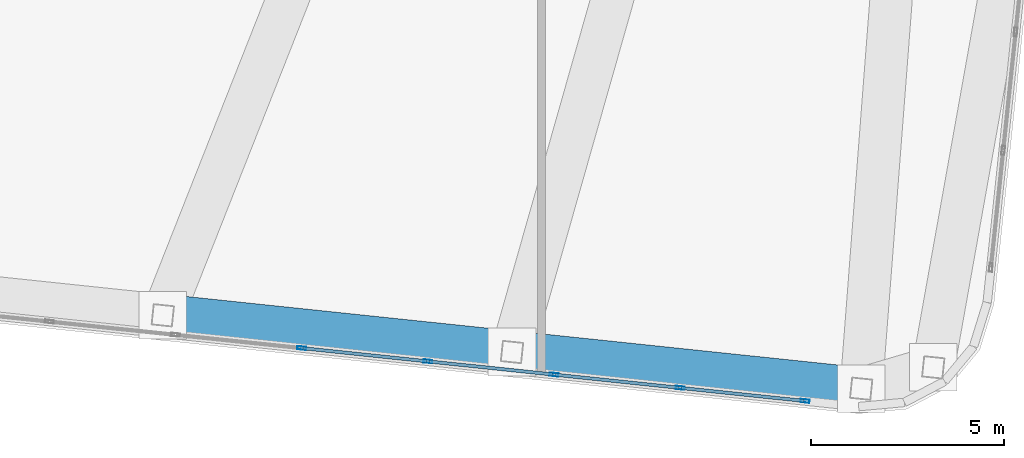
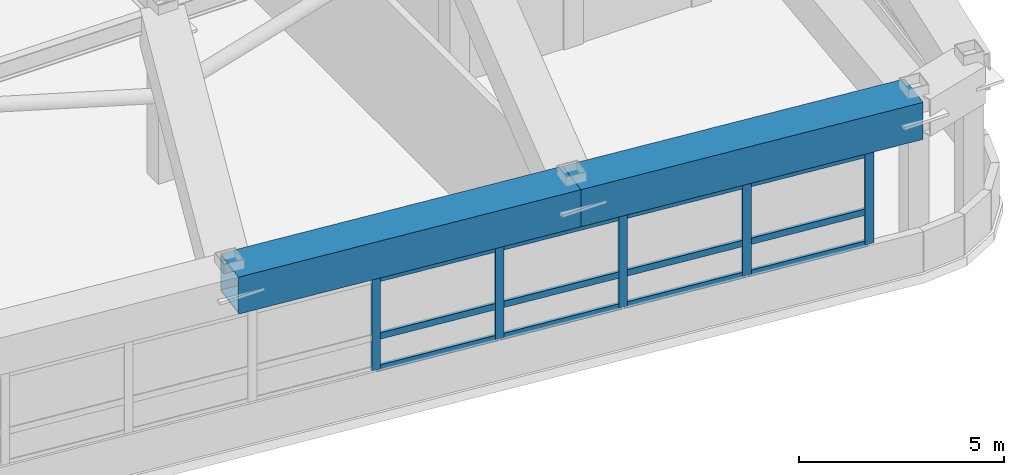
# One storey, part 9 of 23: 17 members, 2 beams, 1 element without a shape of its own.
"""IFC4 building model written with IfcOpenShell, lengths in metres."""

from ifc_helpers import new_model, si_unit, direction, frame, origin, origin_2d, place, context, subcontext, project, spatial, hollow_rectangle, extrude, material, layer, layer_set, material_profile, profile_set, type_object, element, aggregate, save


model = new_model("IFC4")

# Units and contexts
model_context = context("Model", 3, precision=1e-05, world=origin(), true_north=direction((0.0, 1.0)))
body_context = subcontext(model_context, "Body", "Model", "MODEL_VIEW")
ifc_project = project(units=[si_unit("LENGTHUNIT", "METRE"), si_unit("AREAUNIT", "SQUARE_METRE"), si_unit("VOLUMEUNIT", "CUBIC_METRE"), si_unit("PLANEANGLEUNIT", "RADIAN"), si_unit("MASSUNIT", "GRAM", prefix="KILO")], contexts=[model_context])

# Site, building, storey
site_placement = place(None, origin())
site = spatial("IfcSite", under=ifc_project, at=site_placement, CompositionType="ELEMENT")
building_placement = place(site_placement, origin())
building = spatial("IfcBuilding", under=site, at=building_placement, Name="Voryun Gate Residences", CompositionType="ELEMENT")
storey_placement = place(building_placement, frame((0.0, 0.0, 316.0)))
storey = spatial("IfcBuildingStorey", under=building, at=storey_placement, Name="L78", CompositionType="ELEMENT", Elevation=316.0)

# Beams
ifc_material_1 = material(Name="Steel SM420", Category="steel")
ifc_material_profile_1 = material_profile(ifc_material_1, hollow_rectangle(XDim=1.10009765625, YDim=1.10009765625, WallThickness=0.035888671875, at=origin_2d()), Name="BOX-1100x1100x36")
ifc_profile_set_1 = profile_set([ifc_material_profile_1], Name="Steel SM420")
beam_type = type_object("IfcBeamType", Name="BM_ARCH_RIB", PredefinedType="USERDEFINED", material=ifc_profile_set_1)
for number, where, z_axis, x_axis, name in (
    (1, (0.121337890625, -17.731689453125, 4.47509765625), (0.994523919568, -0.104509202498, 0.0), (0.104509202498, 0.994523919568, 0.0), "BM-L78-SPAND-04"),
    (2, (9.19140625, -18.684814453125, 4.47509765625), (0.994521136856, -0.104535679778, 0.0), (0.104535679778, 0.994521136856, 0.0), "BM-L78-SPAND-05"),
):
    element("IfcBeam", number, at=place(storey_placement, frame(where, z_axis=z_axis, x_axis=x_axis)), inside=storey, type_object=beam_type, Name=name, ObjectType="GIRDER", PredefinedType="USERDEFINED", context=body_context, shape_type="SweptSolid", body=[
        extrude(hollow_rectangle(XDim=1.10009765625, YDim=1.10009765625, WallThickness=0.035888671875, at=origin_2d()), origin(), (0.0, 0.0, 1.0), 9.1201171875),
    ])

# Curtain wall, members
ifc_material_2 = material(Name="Anodised aluminium", Category="aluminium")
ifc_layer = layer(ifc_material_2, 0.22998046875, Name="CW_SYS_LANTERN_DARK_GLASS")
ifc_layer_set = layer_set([ifc_layer], Name="Anodised aluminium")
curtain_wall_type = type_object("IfcCurtainWallType", Name="CW_SYS_LANTERN_DARK_GLASS", PredefinedType="NOTDEFINED", material=ifc_layer_set)
curtain_wall_placement = place(storey_placement, origin())
curtain_wall = element("IfcCurtainWall", 3, at=curtain_wall_placement, inside=storey, type_object=curtain_wall_type, Name="Curtain wall CW6-L78-01", PredefinedType="NOTDEFINED")
ifc_material_3 = material(Name="Anodised aluminium", Category="aluminium")
ifc_material_profile_2 = material_profile(ifc_material_3, hollow_rectangle(XDim=0.0849609375, YDim=0.22998046875, WallThickness=0.006103515625, at=origin_2d()), Name="ALU-MULL-230x85x6")
ifc_profile_set_2 = profile_set([ifc_material_profile_2], Name="Anodised aluminium")
member_type_1 = type_object("IfcMemberType", Name="CW_MULL_LANT", PredefinedType="MULLION", material=ifc_profile_set_2)
member_1_placement = place(storey_placement, frame((16.8056640625, -19.957763671875, 1.18994140625), z_axis=(0.0, 0.0, 1.0), x_axis=(-0.10452775858, -0.994521969434, 0.0)))
member_1 = element("IfcMember", 4, at=member_1_placement, type_object=member_type_1, Name="CW6 mullion 1", PredefinedType="MULLION", context=body_context, shape_type="SweptSolid", body=[
    extrude(hollow_rectangle(XDim=0.0849609375, YDim=0.22998046875, WallThickness=0.006103515625, at=origin_2d()), origin(), (0.0, 0.0, 1.0), 2.72509765625),
])
member_2_placement = place(storey_placement, frame((13.558837890625, -19.616455078125, 1.18994140625), z_axis=(0.0, 0.0, 1.0), x_axis=(-0.10452775858, -0.994521969434, 0.0)))
member_2 = element("IfcMember", 5, at=member_2_placement, type_object=member_type_1, Name="CW6 mullion 2", PredefinedType="MULLION", context=body_context, shape_type="SweptSolid", body=[
    extrude(hollow_rectangle(XDim=0.0849609375, YDim=0.22998046875, WallThickness=0.006103515625, at=origin_2d()), origin(), (0.0, 0.0, 1.0), 2.72509765625),
])
member_3_placement = place(storey_placement, frame((10.2822265625, -19.272216796875, 1.18994140625), z_axis=(0.0, 0.0, 1.0), x_axis=(-0.10452775858, -0.994521969434, 0.0)))
member_3 = element("IfcMember", 6, at=member_3_placement, type_object=member_type_1, Name="CW6 mullion 3", PredefinedType="MULLION", context=body_context, shape_type="SweptSolid", body=[
    extrude(hollow_rectangle(XDim=0.0849609375, YDim=0.22998046875, WallThickness=0.006103515625, at=origin_2d()), origin(), (0.0, 0.0, 1.0), 2.72509765625),
])
member_4_placement = place(storey_placement, frame((7.005615234375, -18.927734375, 1.18994140625), z_axis=(0.0, 0.0, 1.0), x_axis=(-0.10452775858, -0.994521969434, 0.0)))
member_4 = element("IfcMember", 7, at=member_4_placement, type_object=member_type_1, Name="CW6 mullion 4", PredefinedType="MULLION", context=body_context, shape_type="SweptSolid", body=[
    extrude(hollow_rectangle(XDim=0.0849609375, YDim=0.22998046875, WallThickness=0.006103515625, at=origin_2d()), origin(), (0.0, 0.0, 1.0), 2.72509765625),
])
member_5_placement = place(storey_placement, frame((3.72900390625, -18.583251953125, 1.18994140625), z_axis=(0.0, 0.0, 1.0), x_axis=(-0.10452775858, -0.994521969434, 0.0)))
member_5 = element("IfcMember", 8, at=member_5_placement, type_object=member_type_1, Name="CW6 mullion 5", PredefinedType="MULLION", context=body_context, shape_type="SweptSolid", body=[
    extrude(hollow_rectangle(XDim=0.0849609375, YDim=0.22998046875, WallThickness=0.006103515625, at=origin_2d()), origin(), (0.0, 0.0, 1.0), 2.72509765625),
])
ifc_material_4 = material(Name="Anodised aluminium", Category="aluminium")
ifc_material_profile_3 = material_profile(ifc_material_4, hollow_rectangle(XDim=0.0849609375, YDim=0.18994140625, WallThickness=0.006103515625, at=origin_2d()), Name="ALU-TRAN-190x85x6")
ifc_profile_set_3 = profile_set([ifc_material_profile_3], Name="Anodised aluminium")
member_type_2 = type_object("IfcMemberType", Name="CW_TRAN_LANT", PredefinedType="USERDEFINED", material=ifc_profile_set_3)
member_6_placement = place(storey_placement, frame((16.775634765625, -19.95458984375, 1.219970703125), z_axis=(-0.994522138405, 0.104526150903, 0.0), x_axis=(-0.104526150903, -0.994522138405, 0.0)))
member_6 = element("IfcMember", 9, at=member_6_placement, type_object=member_type_2, Name="CW6 transom 1.1", ObjectType="TRANSOM", PredefinedType="USERDEFINED", context=body_context, shape_type="SweptSolid", body=[
    extrude(hollow_rectangle(XDim=0.0849609375, YDim=0.18994140625, WallThickness=0.006103515625, at=origin_2d()), origin(), (0.0, 0.0, 1.0), 3.20458984375),
])
member_7_placement = place(storey_placement, frame((16.775634765625, -19.95458984375, 2.1708984375), z_axis=(-0.994522138405, 0.104526150903, 0.0), x_axis=(-0.104526150903, -0.994522138405, 0.0)))
member_7 = element("IfcMember", 10, at=member_7_placement, type_object=member_type_2, Name="CW6 transom 1.2", ObjectType="TRANSOM", PredefinedType="USERDEFINED", context=body_context, shape_type="SweptSolid", body=[
    extrude(hollow_rectangle(XDim=0.0849609375, YDim=0.18994140625, WallThickness=0.006103515625, at=origin_2d()), origin(), (0.0, 0.0, 1.0), 3.20458984375),
])
member_8_placement = place(storey_placement, frame((16.775634765625, -19.95458984375, 3.885009765625), z_axis=(-0.994522138405, 0.104526150903, 0.0), x_axis=(-0.104526150903, -0.994522138405, 0.0)))
member_8 = element("IfcMember", 11, at=member_8_placement, type_object=member_type_2, Name="CW6 transom 1.3", ObjectType="TRANSOM", PredefinedType="USERDEFINED", context=body_context, shape_type="SweptSolid", body=[
    extrude(hollow_rectangle(XDim=0.0849609375, YDim=0.18994140625, WallThickness=0.006103515625, at=origin_2d()), origin(), (0.0, 0.0, 1.0), 3.20458984375),
])
member_9_placement = place(storey_placement, frame((13.529052734375, -19.61328125, 1.219970703125), z_axis=(-0.994521569819, 0.104531560613, 0.0), x_axis=(-0.104531560613, -0.994521569819, 0.0)))
member_9 = element("IfcMember", 12, at=member_9_placement, type_object=member_type_2, Name="CW6 transom 2.1", ObjectType="TRANSOM", PredefinedType="USERDEFINED", context=body_context, shape_type="SweptSolid", body=[
    extrude(hollow_rectangle(XDim=0.0849609375, YDim=0.18994140625, WallThickness=0.006103515625, at=origin_2d()), origin(), (0.0, 0.0, 1.0), 3.23486328125),
])
member_10_placement = place(storey_placement, frame((13.529052734375, -19.61328125, 2.1708984375), z_axis=(-0.994521569819, 0.104531560613, 0.0), x_axis=(-0.104531560613, -0.994521569819, 0.0)))
member_10 = element("IfcMember", 13, at=member_10_placement, type_object=member_type_2, Name="CW6 transom 2.2", ObjectType="TRANSOM", PredefinedType="USERDEFINED", context=body_context, shape_type="SweptSolid", body=[
    extrude(hollow_rectangle(XDim=0.0849609375, YDim=0.18994140625, WallThickness=0.006103515625, at=origin_2d()), origin(), (0.0, 0.0, 1.0), 3.23486328125),
])
member_11_placement = place(storey_placement, frame((13.529052734375, -19.61328125, 3.885009765625), z_axis=(-0.994521569819, 0.104531560613, 0.0), x_axis=(-0.104531560613, -0.994521569819, 0.0)))
member_11 = element("IfcMember", 14, at=member_11_placement, type_object=member_type_2, Name="CW6 transom 2.3", ObjectType="TRANSOM", PredefinedType="USERDEFINED", context=body_context, shape_type="SweptSolid", body=[
    extrude(hollow_rectangle(XDim=0.0849609375, YDim=0.18994140625, WallThickness=0.006103515625, at=origin_2d()), origin(), (0.0, 0.0, 1.0), 3.23486328125),
])
member_12_placement = place(storey_placement, frame((10.252197265625, -19.26904296875, 1.219970703125), z_axis=(-0.994520745033, 0.104539407398, 0.0), x_axis=(-0.104539407398, -0.994520745033, 0.0)))
member_12 = element("IfcMember", 15, at=member_12_placement, type_object=member_type_2, Name="CW6 transom 3.1", ObjectType="TRANSOM", PredefinedType="USERDEFINED", context=body_context, shape_type="SweptSolid", body=[
    extrude(hollow_rectangle(XDim=0.0849609375, YDim=0.18994140625, WallThickness=0.006103515625, at=origin_2d()), origin(), (0.0, 0.0, 1.0), 3.234619140625),
])
member_13_placement = place(storey_placement, frame((10.252197265625, -19.26904296875, 2.1708984375), z_axis=(-0.994520745033, 0.104539407398, 0.0), x_axis=(-0.104539407398, -0.994520745033, 0.0)))
member_13 = element("IfcMember", 16, at=member_13_placement, type_object=member_type_2, Name="CW6 transom 3.2", ObjectType="TRANSOM", PredefinedType="USERDEFINED", context=body_context, shape_type="SweptSolid", body=[
    extrude(hollow_rectangle(XDim=0.0849609375, YDim=0.18994140625, WallThickness=0.006103515625, at=origin_2d()), origin(), (0.0, 0.0, 1.0), 3.234619140625),
])
member_14_placement = place(storey_placement, frame((10.252197265625, -19.26904296875, 3.885009765625), z_axis=(-0.994520745033, 0.104539407398, 0.0), x_axis=(-0.104539407398, -0.994520745033, 0.0)))
member_14 = element("IfcMember", 17, at=member_14_placement, type_object=member_type_2, Name="CW6 transom 3.3", ObjectType="TRANSOM", PredefinedType="USERDEFINED", context=body_context, shape_type="SweptSolid", body=[
    extrude(hollow_rectangle(XDim=0.0849609375, YDim=0.18994140625, WallThickness=0.006103515625, at=origin_2d()), origin(), (0.0, 0.0, 1.0), 3.234619140625),
])
member_15_placement = place(storey_placement, frame((6.9755859375, -18.924560546875, 1.219970703125), z_axis=(-0.994520745033, 0.104539407398, 0.0), x_axis=(-0.104539407398, -0.994520745033, 0.0)))
member_15 = element("IfcMember", 18, at=member_15_placement, type_object=member_type_2, Name="CW6 transom 4.1", ObjectType="TRANSOM", PredefinedType="USERDEFINED", context=body_context, shape_type="SweptSolid", body=[
    extrude(hollow_rectangle(XDim=0.0849609375, YDim=0.18994140625, WallThickness=0.006103515625, at=origin_2d()), origin(), (0.0, 0.0, 1.0), 3.234619140625),
])
member_16_placement = place(storey_placement, frame((6.9755859375, -18.924560546875, 2.1708984375), z_axis=(-0.994520745033, 0.104539407398, 0.0), x_axis=(-0.104539407398, -0.994520745033, 0.0)))
member_16 = element("IfcMember", 19, at=member_16_placement, type_object=member_type_2, Name="CW6 transom 4.2", ObjectType="TRANSOM", PredefinedType="USERDEFINED", context=body_context, shape_type="SweptSolid", body=[
    extrude(hollow_rectangle(XDim=0.0849609375, YDim=0.18994140625, WallThickness=0.006103515625, at=origin_2d()), origin(), (0.0, 0.0, 1.0), 3.234619140625),
])
member_17_placement = place(storey_placement, frame((6.9755859375, -18.924560546875, 3.885009765625), z_axis=(-0.994520745033, 0.104539407398, 0.0), x_axis=(-0.104539407398, -0.994520745033, 0.0)))
member_17 = element("IfcMember", 20, at=member_17_placement, type_object=member_type_2, Name="CW6 transom 4.3", ObjectType="TRANSOM", PredefinedType="USERDEFINED", context=body_context, shape_type="SweptSolid", body=[
    extrude(hollow_rectangle(XDim=0.0849609375, YDim=0.18994140625, WallThickness=0.006103515625, at=origin_2d()), origin(), (0.0, 0.0, 1.0), 3.234619140625),
])
aggregate(curtain_wall, [member_1, member_2, member_3, member_4, member_5, member_6, member_7, member_8, member_9, member_10, member_11, member_12, member_13, member_14, member_15, member_16, member_17])

save(model, "model.ifc")
